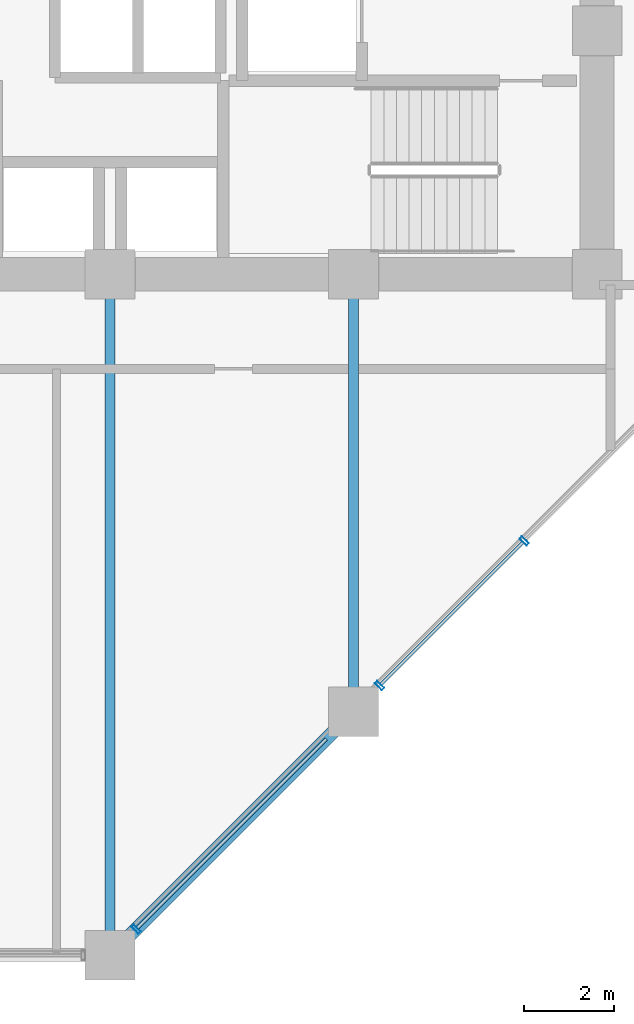
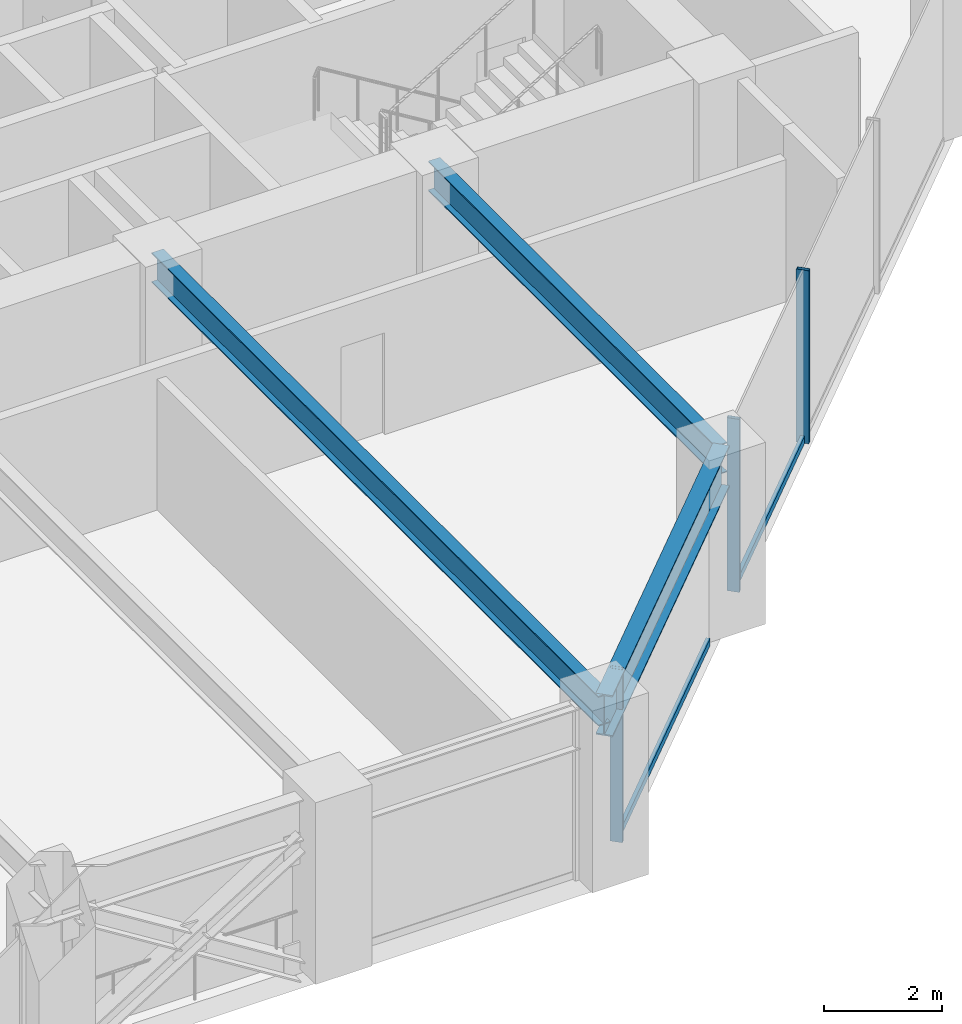
# One storey, part 8 of 30: 5 members, 3 beams, 1 element without a shape of its own.
"""IFC4 building model written with IfcOpenShell, lengths in metres."""

from ifc_helpers import new_model, si_unit, direction, frame, origin, origin_2d, place, context, subcontext, project, spatial, hollow_rectangle, i_section, extrude, material, layer, layer_set, material_profile, profile_set, type_object, element, aggregate, save


model = new_model("IFC4")

# Units and contexts
model_context = context("Model", 3, precision=1e-05, world=origin(), true_north=direction((0.0, 1.0)))
body_context = subcontext(model_context, "Body", "Model", "MODEL_VIEW")
ifc_project = project(units=[si_unit("LENGTHUNIT", "METRE"), si_unit("AREAUNIT", "SQUARE_METRE"), si_unit("VOLUMEUNIT", "CUBIC_METRE"), si_unit("PLANEANGLEUNIT", "RADIAN"), si_unit("MASSUNIT", "GRAM", prefix="KILO")], contexts=[model_context])

# Site, building, storey
site_placement = place(None, origin())
site = spatial("IfcSite", under=ifc_project, at=site_placement, CompositionType="ELEMENT")
building_placement = place(site_placement, origin())
building = spatial("IfcBuilding", under=site, at=building_placement, Name="Surkhivell Harbour Commons", CompositionType="ELEMENT")
storey_placement = place(building_placement, frame((0.0, 0.0, 83.25)))
storey = spatial("IfcBuildingStorey", under=building, at=storey_placement, Name="L21", CompositionType="ELEMENT", Elevation=83.25)

# Beams
ifc_material_1 = material(Name="Steel S355", Category="steel")
ifc_material_profile_1 = material_profile(ifc_material_1, i_section(OverallWidth=0.22998046875, OverallDepth=0.616943359375, WebThickness=0.01318359375, FlangeThickness=0.022216796875, at=origin_2d()), Name="UB610x229x140")
ifc_profile_set_1 = profile_set([ifc_material_profile_1], Name="Steel S355")
beam_type_1 = type_object("IfcBeamType", Name="BM-GRD-610B", PredefinedType="BEAM", material=ifc_profile_set_1)
beam_1_placement = place(storey_placement, frame((0.0, -25.89990234375, 3.261474609375), z_axis=(0.0, 1.0, 0.0), x_axis=(-1.0, 0.0, 0.0)))
element("IfcBeam", 1, at=beam_1_placement, inside=storey, type_object=beam_type_1, Name="L21 Floor Girder (0.0,-25.9)", PredefinedType="BEAM", context=body_context, shape_type="SweptSolid", body=[
    extrude(i_section(OverallWidth=0.22998046875, OverallDepth=0.616943359375, WebThickness=0.01318359375, FlangeThickness=0.022216796875, at=origin_2d()), origin(), (0.0, 0.0, 1.0), 15.099853515625),
])
beam_2_placement = place(storey_placement, frame((5.39990234375, -20.5, 3.261474609375), z_axis=(0.0, 1.0, 0.0), x_axis=(-1.0, 0.0, 0.0)))
element("IfcBeam", 2, at=beam_2_placement, inside=storey, type_object=beam_type_1, Name="L21 Floor Girder (5.4,-20.5)", PredefinedType="BEAM", context=body_context, shape_type="SweptSolid", body=[
    extrude(i_section(OverallWidth=0.22998046875, OverallDepth=0.616943359375, WebThickness=0.01318359375, FlangeThickness=0.022216796875, at=origin_2d()), origin(), (0.0, 0.0, 1.0), 9.699951171875),
])
ifc_material_2 = material(Name="Steel S460", Category="steel")
ifc_material_profile_2 = material_profile(ifc_material_2, i_section(OverallWidth=0.2939453125, OverallDepth=0.85107421875, WebThickness=0.01611328125, FlangeThickness=0.02685546875, at=origin_2d()), Name="UB838x292x226")
ifc_profile_set_2 = profile_set([ifc_material_profile_2], Name="Steel S460")
beam_type_2 = type_object("IfcBeamType", Name="BM-SPN-838", PredefinedType="SPANDREL", material=ifc_profile_set_2)
beam_3_placement = place(storey_placement, frame((0.0, -25.89990234375, 3.14453125), z_axis=(0.707106781187, 0.707106781187, 0.0), x_axis=(-0.707106781187, 0.707106781187, 0.0)))
element("IfcBeam", 3, at=beam_3_placement, inside=storey, type_object=beam_type_2, Name="L21 Tube Spandrel (-0.0,-25.9)", PredefinedType="SPANDREL", context=body_context, shape_type="SweptSolid", body=[
    extrude(i_section(OverallWidth=0.2939453125, OverallDepth=0.85107421875, WebThickness=0.01611328125, FlangeThickness=0.02685546875, at=origin_2d()), origin(), (0.0, 0.0, 1.0), 7.63671875),
])

# Curtain wall, members
ifc_material_3 = material(Name="Anodised pale-metal aluminium and insulated glazing", Category="aluminium")
ifc_layer = layer(ifc_material_3, 0.205078125)
ifc_layer_set = layer_set([ifc_layer], Name="Anodised pale-metal aluminium and insulated glazing")
curtain_wall_type = type_object("IfcCurtainWallType", Name="CW-SYS-Z2", PredefinedType="NOTDEFINED", material=ifc_layer_set)
curtain_wall_placement = place(storey_placement, origin())
curtain_wall = element("IfcCurtainWall", 4, at=curtain_wall_placement, inside=storey, type_object=curtain_wall_type, Name="L21 Curtain Wall CW-L21-E01", PredefinedType="NOTDEFINED")
ifc_material_4 = material(Name="Anodised pale-metal aluminium alloy 6063-T6", Category="aluminium")
ifc_material_profile_3 = material_profile(ifc_material_4, hollow_rectangle(XDim=0.074951171875, YDim=0.219970703125, WallThickness=0.00390625, at=origin_2d()), Name="ALU-MULL-75x220")
ifc_profile_set_3 = profile_set([ifc_material_profile_3], Name="Anodised pale-metal aluminium alloy 6063-T6")
member_type_1 = type_object("IfcMemberType", Name="CWM-220", PredefinedType="MULLION", material=ifc_profile_set_3)
member_1_placement = place(storey_placement, frame((0.578125, -25.32177734375, 0.0), z_axis=(0.0, 0.0, 1.0), x_axis=(0.707106781187, 0.707106781187, 0.0)))
member_1 = element("IfcMember", 5, at=member_1_placement, type_object=member_type_1, Name="CW-Z2 mullion 1", PredefinedType="MULLION", context=body_context, shape_type="SweptSolid", body=[
    extrude(hollow_rectangle(XDim=0.074951171875, YDim=0.219970703125, WallThickness=0.00390625, at=origin_2d()), origin(), (0.0, 0.0, 1.0), 3.570068359375),
])
member_2_placement = place(storey_placement, frame((5.978271484375, -19.921875, 0.0), z_axis=(0.0, 0.0, 1.0), x_axis=(0.707106781187, 0.707106781187, 0.0)))
member_2 = element("IfcMember", 6, at=member_2_placement, type_object=member_type_1, Name="CW-Z2 mullion 2", PredefinedType="MULLION", context=body_context, shape_type="SweptSolid", body=[
    extrude(hollow_rectangle(XDim=0.074951171875, YDim=0.219970703125, WallThickness=0.00390625, at=origin_2d()), origin(), (0.0, 0.0, 1.0), 3.570068359375),
])
member_3_placement = place(storey_placement, frame((9.183837890625, -16.716064453125, 0.0), z_axis=(0.0, 0.0, 1.0), x_axis=(0.707106781187, 0.707106781187, 0.0)))
member_3 = element("IfcMember", 7, at=member_3_placement, type_object=member_type_1, Name="CW-Z2 mullion 3", PredefinedType="MULLION", context=body_context, shape_type="SweptSolid", body=[
    extrude(hollow_rectangle(XDim=0.074951171875, YDim=0.219970703125, WallThickness=0.00390625, at=origin_2d()), origin(), (0.0, 0.0, 1.0), 3.570068359375),
])
ifc_material_profile_4 = material_profile(ifc_material_4, hollow_rectangle(XDim=0.074951171875, YDim=0.14990234375, WallThickness=0.00341796875, at=origin_2d()), Name="ALU-TRAN-75x150")
ifc_profile_set_4 = profile_set([ifc_material_profile_4], Name="Anodised pale-metal aluminium alloy 6063-T6")
member_type_2 = type_object("IfcMemberType", Name="CWT-150", PredefinedType="USERDEFINED", material=ifc_profile_set_4)
member_4_placement = place(storey_placement, frame((0.604736328125, -25.295166015625, 0.074951171875), z_axis=(0.707106781187, 0.707106781187, 0.0), x_axis=(-0.707106781187, 0.707106781187, 0.0)))
member_4 = element("IfcMember", 8, at=member_4_placement, type_object=member_type_2, Name="CW-Z2 transom 1.1", ObjectType="TRANSOM", PredefinedType="USERDEFINED", context=body_context, shape_type="SweptSolid", body=[
    extrude(hollow_rectangle(XDim=0.074951171875, YDim=0.14990234375, WallThickness=0.00341796875, at=origin_2d()), origin(), (0.0, 0.0, 1.0), 5.92626953125),
])
member_5_placement = place(storey_placement, frame((6.004638671875, -19.895263671875, 0.074951171875), z_axis=(0.707134159244, 0.707079402069, 0.0), x_axis=(-0.707079402069, 0.707134159244, 0.0)))
member_5 = element("IfcMember", 9, at=member_5_placement, type_object=member_type_2, Name="CW-Z2 transom 2.1", ObjectType="TRANSOM", PredefinedType="USERDEFINED", context=body_context, shape_type="SweptSolid", body=[
    extrude(hollow_rectangle(XDim=0.074951171875, YDim=0.14990234375, WallThickness=0.00341796875, at=origin_2d()), origin(), (0.0, 0.0, 1.0), 4.45849609375),
])
aggregate(curtain_wall, [member_1, member_4, member_2, member_3, member_5])

save(model, "model.ifc")
